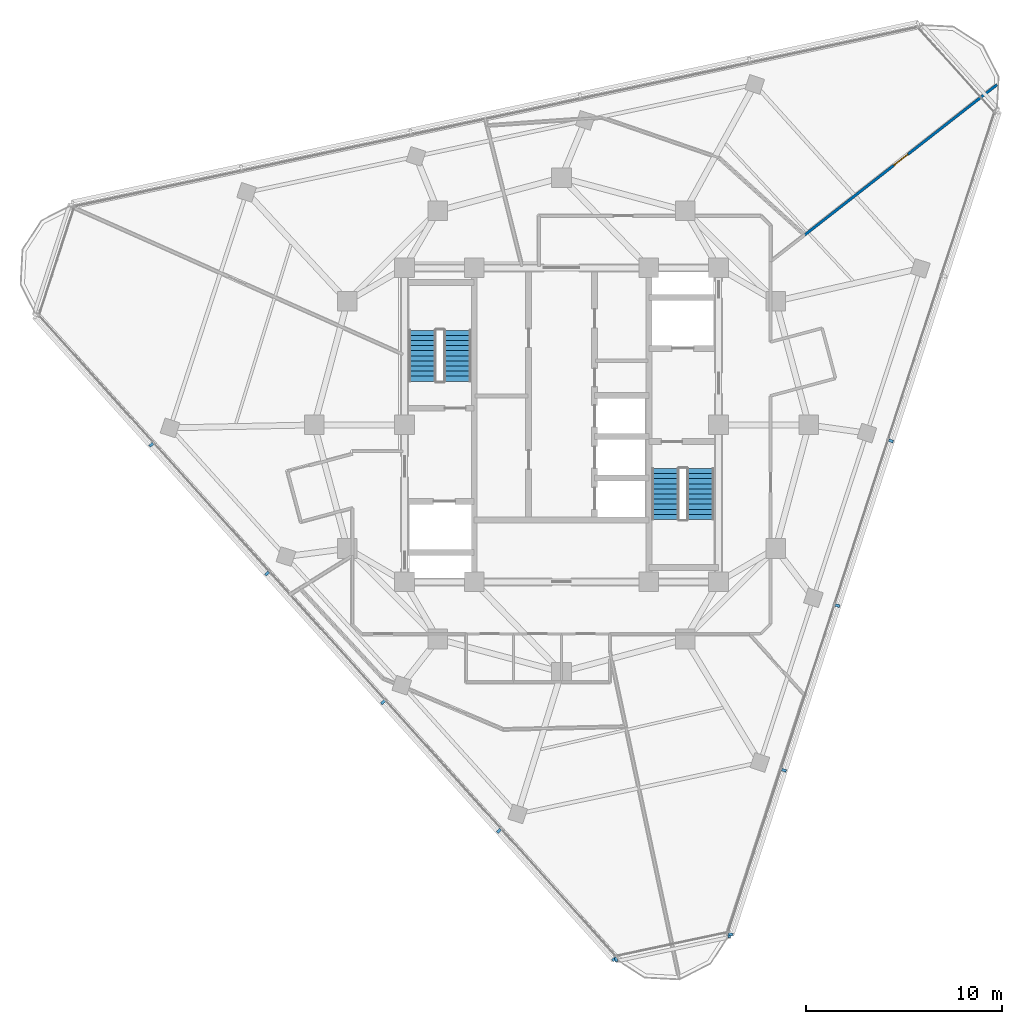
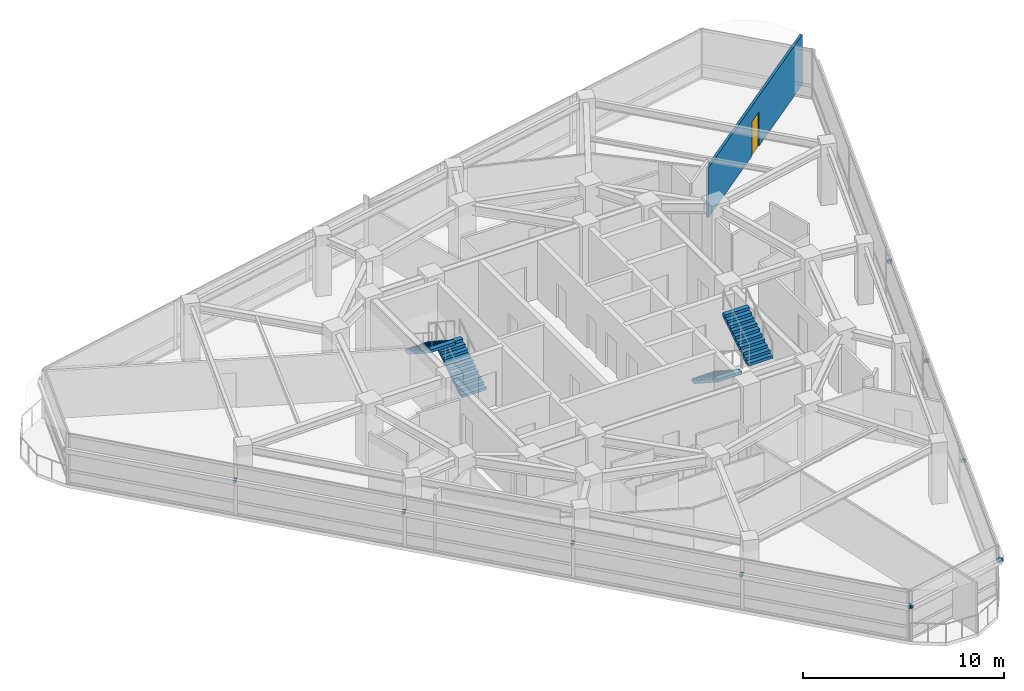
# One storey, part 10 of 15: 11 discrete accessories, 4 stair flights, 1 door, 1 wall, 1 opening, 2 elements without a shape of their own.
"""IFC4 building model written with IfcOpenShell, lengths in metres."""

from ifc_helpers import new_model, si_unit, direction, frame, frame_2d, origin, origin_2d, place, context, subcontext, project, spatial, polyline, rectangle, outline, extrude, material, layer, layer_set, type_object, element, fill, aggregate, save


model = new_model("IFC4")

# Units and contexts
model_context = context("Model", 3, precision=1e-05, world=origin(), true_north=direction((0.0, 1.0)))
body_context = subcontext(model_context, "Body", "Model", "MODEL_VIEW")
ifc_project = project(units=[si_unit("LENGTHUNIT", "METRE"), si_unit("AREAUNIT", "SQUARE_METRE"), si_unit("VOLUMEUNIT", "CUBIC_METRE"), si_unit("PLANEANGLEUNIT", "RADIAN"), si_unit("MASSUNIT", "GRAM", prefix="KILO")], contexts=[model_context])

# Site, building, storey
site_placement = place(None, origin())
site = spatial("IfcSite", under=ifc_project, at=site_placement, CompositionType="ELEMENT")
building_placement = place(site_placement, origin())
building = spatial("IfcBuilding", under=site, at=building_placement, Name="Terralouvre Media Tower", CompositionType="ELEMENT")
storey_placement = place(building_placement, frame((0.0, 0.0, 283.199951171875)))
storey = spatial("IfcBuildingStorey", under=building, at=storey_placement, Name="L73", CompositionType="ELEMENT", Elevation=283.199951171875)

# Wall, opening, door
ifc_material_1 = material(Name="Fire-rated gypsum board drywall partition")
ifc_layer = layer(ifc_material_1, 0.135009765625, Name="Newsroom Acoustic Partition PT-135")
ifc_layer_set = layer_set([ifc_layer], Name="Fire-rated gypsum board drywall partition")
wall_type = type_object("IfcWallType", Name="Newsroom Acoustic Partition PT-135", PredefinedType="PARTITIONING", material=ifc_layer_set)
wall_placement = place(storey_placement, frame((22.1923828125, 17.33837890625, 0.0), z_axis=(0.0, 0.0, 1.0), x_axis=(-0.788006224946, -0.615667271703, 0.0)))
wall = element("IfcWall", 1, at=wall_placement, inside=storey, type_object=wall_type, Name="L73 Interior Partition 028", PredefinedType="PARTITIONING", context=body_context, shape_type="SweptSolid", body=[
    extrude(rectangle(XDim=12.44091796875, YDim=0.135009765625, at=frame_2d((6.220458984375, 0.0))), origin(), (0.0, 0.0, 1.0), 3.03515625),
])
opening_placement = place(wall_placement, frame((5.760498046875, 0.0, 0.0)))
opening = element("IfcOpeningElement", 2, at=opening_placement, cuts=wall, Name="Opening ID-03-92X210", PredefinedType="OPENING", context=body_context, shape_type="SweptSolid", body=[
    extrude(rectangle(XDim=0.919921875, YDim=2.10009765625, at=frame_2d((0.4599609375, 1.050048828125))), frame((0.0, 0.077392578125, 0.0), z_axis=(0.0, -1.0, 0.0), x_axis=(1.0, 0.0, 0.0)), (0.0, 0.0, 1.0), 0.155029296875),
])
ifc_material_2 = material(Name="Engineered hardwood acoustic timber leaf", Category="wood")
door_type = type_object("IfcDoorType", Name="Accessible Restroom and Suite Door ID-03 (920x2100)", OperationType="NOTDEFINED", PredefinedType="DOOR", material=ifc_material_2)
door_placement = place(opening_placement, origin())
door = element("IfcDoor", 3, at=door_placement, inside=storey, type_object=door_type, Name="L73 Digital Editing Lecture Room 6 Door", OperationType="SINGLE_SWING_LEFT", OverallHeight=2.10009765625, OverallWidth=0.919921875, PredefinedType="DOOR", context=body_context, shape_type="SweptSolid", body=[
    extrude(rectangle(XDim=0.919921875, YDim=2.10009765625, at=frame_2d((0.4599609375, 1.050048828125))), frame((0.0, 0.02490234375, 0.0), z_axis=(0.0, -1.0, 0.0), x_axis=(1.0, 0.0, 0.0)), (0.0, 0.0, 1.0), 0.050048828125),
])
fill(opening, door)

# Stair, stair flights
ifc_material_3 = material(Name="Concrete C45/55", Category="concrete")
stair_type_1 = type_object("IfcStairType", Name="Dogleg Stair Assembly ST-01", PredefinedType="HALF_TURN_STAIR", material=ifc_material_3)
stair_1_placement = place(storey_placement, origin())
stair_1 = element("IfcStair", 4, at=stair_1_placement, inside=storey, type_object=stair_type_1, Name="L73 Core Pressurised Exit Stair ST-01", PredefinedType="HALF_TURN_STAIR")
ifc_material_4 = material(Name="Concrete C45/55", Category="concrete")
stair_flight_type = type_object("IfcStairFlightType", Name="Reinforced Concrete Stair Flight SF-RC1", PredefinedType="STRAIGHT", material=ifc_material_4)
stair_flight_1_placement = place(storey_placement, frame((-5.300048828125, 2.219970703125, 0.0), z_axis=(0.0, 0.0, 1.0), x_axis=(0.0, 1.0, 0.0)))
stair_flight_1 = element("IfcStairFlight", 5, at=stair_flight_1_placement, type_object=stair_flight_type, Name="ST-01 flight 1", NumberOfRisers=11, NumberOfTreads=10, PredefinedType="STRAIGHT", RiserHeight=0.168181818, TreadLength=0.26, context=body_context, shape_type="SweptSolid", body=[
    extrude(outline(polyline([(0.0, 0.0), (0.0, 0.168212890625), (0.260009765625, 0.168212890625), (0.260009765625, 0.33642578125), (0.52001953125, 0.33642578125), (0.52001953125, 0.504638671875), (0.780029296875, 0.504638671875), (0.780029296875, 0.672607421875), (1.0400390625, 0.672607421875), (1.0400390625, 0.8408203125), (1.300048828125, 0.8408203125), (1.300048828125, 1.009033203125), (1.56005859375, 1.009033203125), (1.56005859375, 1.17724609375), (1.820068359375, 1.17724609375), (1.820068359375, 1.345458984375), (2.080078125, 1.345458984375), (2.080078125, 1.513671875), (2.340087890625, 1.513671875), (2.340087890625, 1.681884765625), (2.60009765625, 1.681884765625), (2.60009765625, 1.85009765625), (2.60009765625, 1.503173828125), (0.27587890625, 0.0), (0.0, 0.0)])), frame((0.0, 0.699951171875, 0.0), z_axis=(0.0, -1.0, 0.0), x_axis=(1.0, 0.0, 0.0)), (0.0, 0.0, 1.0), 1.39990234375),
])
stair_flight_2_placement = place(storey_placement, frame((-7.080078125, 4.820068359375, 1.85009765625), z_axis=(0.0, 0.0, 1.0), x_axis=(0.0, -1.0, 0.0)))
stair_flight_2 = element("IfcStairFlight", 6, at=stair_flight_2_placement, type_object=stair_flight_type, Name="ST-01 flight 2", NumberOfRisers=11, NumberOfTreads=10, PredefinedType="STRAIGHT", RiserHeight=0.168181818, TreadLength=0.26, context=body_context, shape_type="SweptSolid", body=[
    extrude(outline(polyline([(0.0, 0.0), (0.0, 0.168212890625), (0.260009765625, 0.168212890625), (0.260009765625, 0.33642578125), (0.52001953125, 0.33642578125), (0.52001953125, 0.504638671875), (0.780029296875, 0.504638671875), (0.780029296875, 0.672607421875), (1.0400390625, 0.672607421875), (1.0400390625, 0.8408203125), (1.300048828125, 0.8408203125), (1.300048828125, 1.009033203125), (1.56005859375, 1.009033203125), (1.56005859375, 1.17724609375), (1.820068359375, 1.17724609375), (1.820068359375, 1.345458984375), (2.080078125, 1.345458984375), (2.080078125, 1.513671875), (2.340087890625, 1.513671875), (2.340087890625, 1.681884765625), (2.60009765625, 1.681884765625), (2.60009765625, 1.85009765625), (2.60009765625, 1.503173828125), (0.27587890625, 0.0), (0.0, 0.0)])), frame((0.0, 0.699951171875, 0.0), z_axis=(0.0, -1.0, 0.0), x_axis=(1.0, 0.0, 0.0)), (0.0, 0.0, 1.0), 1.39990234375),
])
aggregate(stair_1, [stair_flight_1, stair_flight_2])

ifc_material_5 = material(Name="Concrete C45/55", Category="concrete")
stair_type_2 = type_object("IfcStairType", Name="Dogleg Stair Assembly ST-02", PredefinedType="HALF_TURN_STAIR", material=ifc_material_5)
stair_2_placement = place(storey_placement, origin())
stair_2 = element("IfcStair", 7, at=stair_2_placement, inside=storey, type_object=stair_type_2, Name="L73 Core Pressurised Exit Stair ST-02", PredefinedType="HALF_TURN_STAIR")
stair_flight_3_placement = place(storey_placement, frame((5.300048828125, -2.219970703125, 0.0), z_axis=(0.0, 0.0, 1.0), x_axis=(0.0, -1.0, 0.0)))
stair_flight_3 = element("IfcStairFlight", 8, at=stair_flight_3_placement, type_object=stair_flight_type, Name="ST-02 flight 1", NumberOfRisers=11, NumberOfTreads=10, PredefinedType="STRAIGHT", RiserHeight=0.168181818, TreadLength=0.26, context=body_context, shape_type="SweptSolid", body=[
    extrude(outline(polyline([(0.0, 0.0), (0.0, 0.168212890625), (0.260009765625, 0.168212890625), (0.260009765625, 0.33642578125), (0.52001953125, 0.33642578125), (0.52001953125, 0.504638671875), (0.780029296875, 0.504638671875), (0.780029296875, 0.672607421875), (1.0400390625, 0.672607421875), (1.0400390625, 0.8408203125), (1.300048828125, 0.8408203125), (1.300048828125, 1.009033203125), (1.56005859375, 1.009033203125), (1.56005859375, 1.17724609375), (1.820068359375, 1.17724609375), (1.820068359375, 1.345458984375), (2.080078125, 1.345458984375), (2.080078125, 1.513671875), (2.340087890625, 1.513671875), (2.340087890625, 1.681884765625), (2.60009765625, 1.681884765625), (2.60009765625, 1.85009765625), (2.60009765625, 1.503173828125), (0.27587890625, 0.0), (0.0, 0.0)])), frame((0.0, 0.699951171875, 0.0), z_axis=(0.0, -1.0, 0.0), x_axis=(1.0, 0.0, 0.0)), (0.0, 0.0, 1.0), 1.39990234375),
])
stair_flight_4_placement = place(storey_placement, frame((7.080078125, -4.820068359375, 1.85009765625), z_axis=(0.0, 0.0, 1.0), x_axis=(0.0, 1.0, 0.0)))
stair_flight_4 = element("IfcStairFlight", 9, at=stair_flight_4_placement, type_object=stair_flight_type, Name="ST-02 flight 2", NumberOfRisers=11, NumberOfTreads=10, PredefinedType="STRAIGHT", RiserHeight=0.168181818, TreadLength=0.26, context=body_context, shape_type="SweptSolid", body=[
    extrude(outline(polyline([(0.0, 0.0), (0.0, 0.168212890625), (0.260009765625, 0.168212890625), (0.260009765625, 0.33642578125), (0.52001953125, 0.33642578125), (0.52001953125, 0.504638671875), (0.780029296875, 0.504638671875), (0.780029296875, 0.672607421875), (1.0400390625, 0.672607421875), (1.0400390625, 0.8408203125), (1.300048828125, 0.8408203125), (1.300048828125, 1.009033203125), (1.56005859375, 1.009033203125), (1.56005859375, 1.17724609375), (1.820068359375, 1.17724609375), (1.820068359375, 1.345458984375), (2.080078125, 1.345458984375), (2.080078125, 1.513671875), (2.340087890625, 1.513671875), (2.340087890625, 1.681884765625), (2.60009765625, 1.681884765625), (2.60009765625, 1.85009765625), (2.60009765625, 1.503173828125), (0.27587890625, 0.0), (0.0, 0.0)])), frame((0.0, 0.699951171875, 0.0), z_axis=(0.0, -1.0, 0.0), x_axis=(1.0, 0.0, 0.0)), (0.0, 0.0, 1.0), 1.39990234375),
])
aggregate(stair_2, [stair_flight_3, stair_flight_4])

# Discrete accessories
ifc_material_6 = material(Name="Anodised extruded aluminium 6063-T6", Category="aluminium")
discrete_accessory_type = type_object("IfcDiscreteAccessoryType", Name="Mullion Stand-Off Baguette Fixing Bracket BK-01", PredefinedType="BRACKET", material=ifc_material_6)
for number, where, z_axis, x_axis, name in (
    (10, (8.617431640625, -25.955810546875, 2.07421875), (0.0, 0.0, 1.0), (0.309017021946, 0.951056507337, 0.0), "CW-L73-F0 Baguette Outrigger Bracket 1.01"),
    (11, (11.33251953125, -17.599365234375, 2.07421875), (0.0, 0.0, 1.0), (0.309017021946, 0.951056507337, 0.0), "CW-L73-F0 Baguette Outrigger Bracket 1.02"),
    (12, (14.059326171875, -9.207275390625, 2.07421875), (0.0, 0.0, 1.0), (0.309017021946, 0.951056507337, 0.0), "CW-L73-F0 Baguette Outrigger Bracket 1.03"),
    (13, (16.7861328125, -0.815185546875, 2.07421875), (0.0, 0.0, 1.0), (0.309017021946, 0.951056507337, 0.0), "CW-L73-F0 Baguette Outrigger Bracket 1.04"),
    (14, (-20.90771484375, -1.0146484375, 2.07421875), (0.0, 0.0, 1.0), (0.669130573531, -0.743144855036, 0.0), "CW-L73-F2 Baguette Outrigger Bracket 1.02"),
    (15, (-15.00341796875, -7.572021484375, 2.07421875), (0.0, 0.0, 1.0), (0.669130573531, -0.743144855036, 0.0), "CW-L73-F2 Baguette Outrigger Bracket 1.03"),
    (16, (-9.098876953125, -14.129638671875, 2.07421875), (0.0, 0.0, 1.0), (0.669130573531, -0.743144855036, 0.0), "CW-L73-F2 Baguette Outrigger Bracket 1.04"),
    (17, (-3.194580078125, -20.68701171875, 2.07421875), (0.0, 0.0, 1.0), (0.669130573531, -0.743144855036, 0.0), "CW-L73-F2 Baguette Outrigger Bracket 1.05"),
    (18, (2.684814453125, -27.216796875, 2.07421875), (0.0, 0.0, 1.0), (0.669130573531, -0.743144855036, 0.0), "CW-L73-F2 Baguette Outrigger Bracket 1.06"),
    (19, (2.780517578125, -27.229736328125, 2.07421875), (0.0, 0.0, 1.0), (0.978147609922, 0.207911647592, 0.0), "CW-L73-C0 Baguette Outrigger Bracket 1.01"),
    (20, (8.53515625, -26.00634765625, 2.07421875), (0.0, 0.0, 1.0), (0.978147609922, 0.207911647592, 0.0), "CW-L73-C0 Baguette Outrigger Bracket 1.02"),
):
    element("IfcDiscreteAccessory", number, at=place(storey_placement, frame(where, z_axis=z_axis, x_axis=x_axis)), inside=storey, type_object=discrete_accessory_type, Name=name, PredefinedType="BRACKET", context=body_context, shape_type="SweptSolid", body=[
        extrude(rectangle(XDim=0.139892578125, YDim=0.239990234375, at=origin_2d()), origin(), (0.0, 0.0, 1.0), 0.179931640625),
    ])

save(model, "model.ifc")
